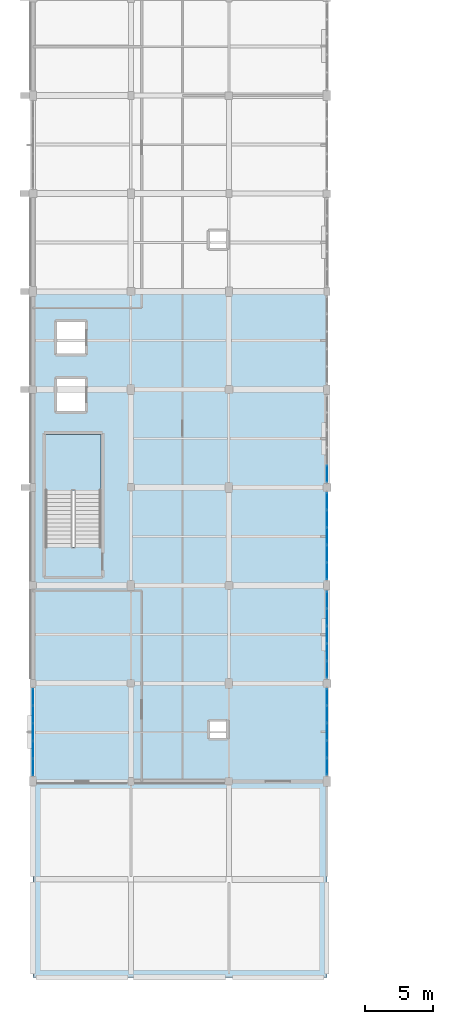
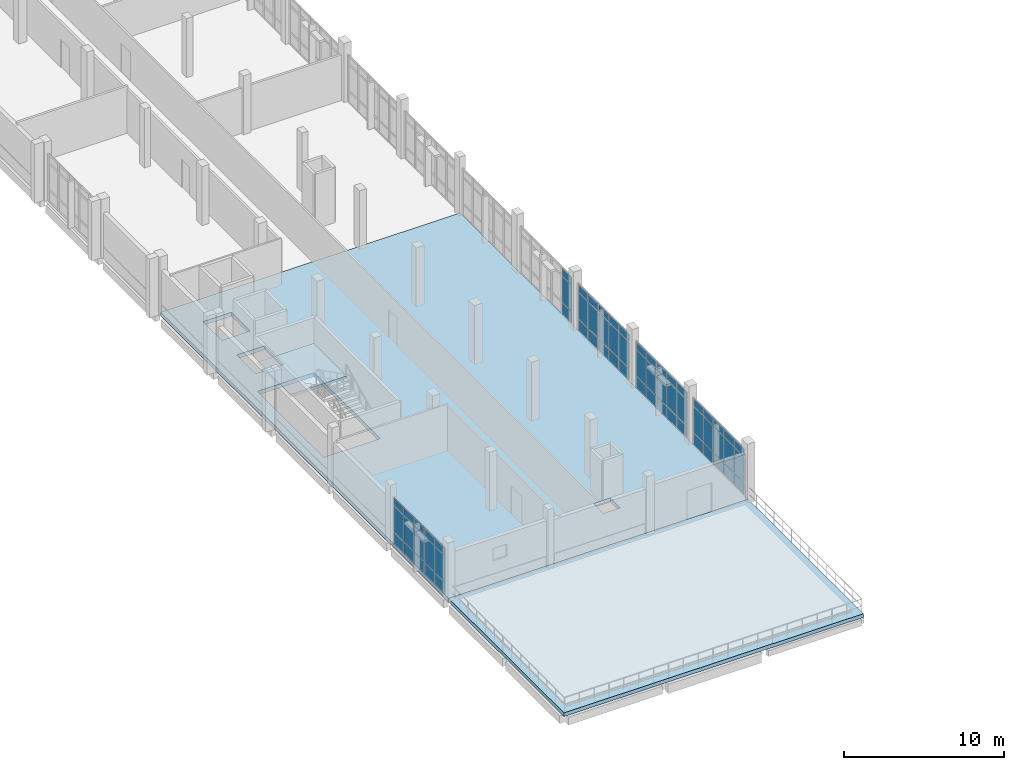
# One storey, part 40 of 57: 63 plates, 3 slabs, 6 elements without a shape of their own.
"""IFC4 building model written with IfcOpenShell, lengths in metres."""

from ifc_helpers import new_model, si_unit, direction, frame, origin, origin_2d, place, context, subcontext, project, spatial, polyline, rectangle, outline, extrude, material, layer, layer_set, type_object, element, aggregate, save


model = new_model("IFC4")

# Units and contexts
model_context = context("Model", 3, precision=1e-05, world=origin(), true_north=direction((0.0, 1.0)))
body_context = subcontext(model_context, "Body", "Model", "MODEL_VIEW")
ifc_project = project(units=[si_unit("LENGTHUNIT", "METRE"), si_unit("AREAUNIT", "SQUARE_METRE"), si_unit("VOLUMEUNIT", "CUBIC_METRE"), si_unit("PLANEANGLEUNIT", "RADIAN"), si_unit("MASSUNIT", "GRAM", prefix="KILO")], contexts=[model_context])

# Site, building, storey
site_placement = place(None, origin())
site = spatial("IfcSite", under=ifc_project, at=site_placement, CompositionType="ELEMENT")
building_placement = place(site_placement, origin())
building = spatial("IfcBuilding", under=site, at=building_placement, Name="Kalluvel Institute of Natural Sciences", CompositionType="ELEMENT")
storey_placement = place(building_placement, frame((0.0, 0.0, 23.39990234375)))
storey = spatial("IfcBuildingStorey", under=building, at=storey_placement, Name="L05", CompositionType="ELEMENT", Elevation=23.39990234375)

# Curtain wall, plates
ifc_material_1 = material(Name="Aluminium AW-6063 T6", Category="aluminium")
curtain_wall_type = type_object("IfcCurtainWallType", Name="CW-DRY-45", PredefinedType="USERDEFINED", material=ifc_material_1)
curtain_wall_1_placement = place(storey_placement, origin())
curtain_wall_1 = element("IfcCurtainWall", 1, at=curtain_wall_1_placement, inside=storey, type_object=curtain_wall_type, Name="L05 Gothic lancet curtain wall CWA-L05-X140-Y288", ObjectType="UNITISED LANCET FACADE", PredefinedType="USERDEFINED")
ifc_material_2 = material(Name="Solar-Control Low-E Laminated Glass", Category="glass")
ifc_layer_1 = layer(ifc_material_2, 0.031982421875)
ifc_layer_set_1 = layer_set([ifc_layer_1], Name="Solar-Control Low-E Laminated Glass")
plate_type = type_object("IfcPlateType", Name="CWP-DGU-32", PredefinedType="CURTAIN_PANEL", material=ifc_layer_set_1)
plate_1_placement = place(storey_placement, frame((14.0, 29.461181640625, 0.065185546875), z_axis=(0.0, 0.0, 1.0), x_axis=(0.0, 1.0, 0.0)))
plate_1 = element("IfcPlate", 2, at=plate_1_placement, type_object=plate_type, Name="CW-03 panel 1.1", PredefinedType="CURTAIN_PANEL", context=body_context, shape_type="SweptSolid", body=[
    extrude(rectangle(XDim=1.1923828125, YDim=0.031982421875, at=origin_2d()), origin(), (0.0, 0.0, 1.0), 0.8525390625),
])
plate_2_placement = place(storey_placement, frame((14.0, 29.461181640625, 0.982666015625), z_axis=(0.0, 0.0, 1.0), x_axis=(0.0, 1.0, 0.0)))
plate_2 = element("IfcPlate", 3, at=plate_2_placement, type_object=plate_type, Name="CW-03 panel 1.2", PredefinedType="CURTAIN_PANEL", context=body_context, shape_type="SweptSolid", body=[
    extrude(rectangle(XDim=1.1923828125, YDim=0.031982421875, at=origin_2d()), origin(), (0.0, 0.0, 1.0), 1.955078125),
])
plate_3_placement = place(storey_placement, frame((14.0, 29.461181640625, 3.00244140625), z_axis=(0.0, 0.0, 1.0), x_axis=(0.0, 1.0, 0.0)))
plate_3 = element("IfcPlate", 4, at=plate_3_placement, type_object=plate_type, Name="CW-03 panel 1.3", PredefinedType="CURTAIN_PANEL", context=body_context, shape_type="SweptSolid", body=[
    extrude(rectangle(XDim=1.1923828125, YDim=0.031982421875, at=origin_2d()), origin(), (0.0, 0.0, 1.0), 0.552490234375),
])
plate_4_placement = place(storey_placement, frame((14.0, 30.735107421875, 0.065185546875), z_axis=(0.0, 0.0, 1.0), x_axis=(0.0, 1.0, 0.0)))
plate_4 = element("IfcPlate", 5, at=plate_4_placement, type_object=plate_type, Name="CW-03 panel 2.1", PredefinedType="CURTAIN_PANEL", context=body_context, shape_type="SweptSolid", body=[
    extrude(rectangle(XDim=1.22509765625, YDim=0.031982421875, at=origin_2d()), origin(), (0.0, 0.0, 1.0), 0.8525390625),
])
plate_5_placement = place(storey_placement, frame((14.0, 30.735107421875, 0.982666015625), z_axis=(0.0, 0.0, 1.0), x_axis=(0.0, 1.0, 0.0)))
plate_5 = element("IfcPlate", 6, at=plate_5_placement, type_object=plate_type, Name="CW-03 panel 2.2", PredefinedType="CURTAIN_PANEL", context=body_context, shape_type="SweptSolid", body=[
    extrude(rectangle(XDim=1.22509765625, YDim=0.031982421875, at=origin_2d()), origin(), (0.0, 0.0, 1.0), 1.955078125),
])
plate_6_placement = place(storey_placement, frame((14.0, 30.735107421875, 3.00244140625), z_axis=(0.0, 0.0, 1.0), x_axis=(0.0, 1.0, 0.0)))
plate_6 = element("IfcPlate", 7, at=plate_6_placement, type_object=plate_type, Name="CW-03 panel 2.3", PredefinedType="CURTAIN_PANEL", context=body_context, shape_type="SweptSolid", body=[
    extrude(rectangle(XDim=1.22509765625, YDim=0.031982421875, at=origin_2d()), origin(), (0.0, 0.0, 1.0), 0.552490234375),
])
plate_7_placement = place(storey_placement, frame((14.0, 32.02490234375, 0.065185546875), z_axis=(0.0, 0.0, 1.0), x_axis=(0.0, 1.0, 0.0)))
plate_7 = element("IfcPlate", 8, at=plate_7_placement, type_object=plate_type, Name="CW-03 panel 3.1", PredefinedType="CURTAIN_PANEL", context=body_context, shape_type="SweptSolid", body=[
    extrude(rectangle(XDim=1.22509765625, YDim=0.031982421875, at=origin_2d()), origin(), (0.0, 0.0, 1.0), 0.8525390625),
])
plate_8_placement = place(storey_placement, frame((14.0, 32.02490234375, 0.982666015625), z_axis=(0.0, 0.0, 1.0), x_axis=(0.0, 1.0, 0.0)))
plate_8 = element("IfcPlate", 9, at=plate_8_placement, type_object=plate_type, Name="CW-03 panel 3.2", PredefinedType="CURTAIN_PANEL", context=body_context, shape_type="SweptSolid", body=[
    extrude(rectangle(XDim=1.22509765625, YDim=0.031982421875, at=origin_2d()), origin(), (0.0, 0.0, 1.0), 1.955078125),
])
plate_9_placement = place(storey_placement, frame((14.0, 32.02490234375, 3.00244140625), z_axis=(0.0, 0.0, 1.0), x_axis=(0.0, 1.0, 0.0)))
plate_9 = element("IfcPlate", 10, at=plate_9_placement, type_object=plate_type, Name="CW-03 panel 3.3", PredefinedType="CURTAIN_PANEL", context=body_context, shape_type="SweptSolid", body=[
    extrude(rectangle(XDim=1.22509765625, YDim=0.031982421875, at=origin_2d()), origin(), (0.0, 0.0, 1.0), 0.552490234375),
])
plate_10_placement = place(storey_placement, frame((14.0, 33.31494140625, 0.065185546875), z_axis=(0.0, 0.0, 1.0), x_axis=(0.0, 1.0, 0.0)))
plate_10 = element("IfcPlate", 11, at=plate_10_placement, type_object=plate_type, Name="CW-03 panel 4.1", PredefinedType="CURTAIN_PANEL", context=body_context, shape_type="SweptSolid", body=[
    extrude(rectangle(XDim=1.22509765625, YDim=0.031982421875, at=origin_2d()), origin(), (0.0, 0.0, 1.0), 0.8525390625),
])
plate_11_placement = place(storey_placement, frame((14.0, 33.31494140625, 0.982666015625), z_axis=(0.0, 0.0, 1.0), x_axis=(0.0, 1.0, 0.0)))
plate_11 = element("IfcPlate", 12, at=plate_11_placement, type_object=plate_type, Name="CW-03 panel 4.2", PredefinedType="CURTAIN_PANEL", context=body_context, shape_type="SweptSolid", body=[
    extrude(rectangle(XDim=1.22509765625, YDim=0.031982421875, at=origin_2d()), origin(), (0.0, 0.0, 1.0), 1.955078125),
])
plate_12_placement = place(storey_placement, frame((14.0, 33.31494140625, 3.00244140625), z_axis=(0.0, 0.0, 1.0), x_axis=(0.0, 1.0, 0.0)))
plate_12 = element("IfcPlate", 13, at=plate_12_placement, type_object=plate_type, Name="CW-03 panel 4.3", PredefinedType="CURTAIN_PANEL", context=body_context, shape_type="SweptSolid", body=[
    extrude(rectangle(XDim=1.22509765625, YDim=0.031982421875, at=origin_2d()), origin(), (0.0, 0.0, 1.0), 0.552490234375),
])
plate_13_placement = place(storey_placement, frame((14.0, 34.5888671875, 0.065185546875), z_axis=(0.0, 0.0, 1.0), x_axis=(0.0, 1.0, 0.0)))
plate_13 = element("IfcPlate", 14, at=plate_13_placement, type_object=plate_type, Name="CW-03 panel 5.1", PredefinedType="CURTAIN_PANEL", context=body_context, shape_type="SweptSolid", body=[
    extrude(rectangle(XDim=1.1923828125, YDim=0.031982421875, at=origin_2d()), origin(), (0.0, 0.0, 1.0), 0.8525390625),
])
plate_14_placement = place(storey_placement, frame((14.0, 34.5888671875, 0.982666015625), z_axis=(0.0, 0.0, 1.0), x_axis=(0.0, 1.0, 0.0)))
plate_14 = element("IfcPlate", 15, at=plate_14_placement, type_object=plate_type, Name="CW-03 panel 5.2", PredefinedType="CURTAIN_PANEL", context=body_context, shape_type="SweptSolid", body=[
    extrude(rectangle(XDim=1.1923828125, YDim=0.031982421875, at=origin_2d()), origin(), (0.0, 0.0, 1.0), 1.955078125),
])
plate_15_placement = place(storey_placement, frame((14.0, 34.5888671875, 3.00244140625), z_axis=(0.0, 0.0, 1.0), x_axis=(0.0, 1.0, 0.0)))
plate_15 = element("IfcPlate", 16, at=plate_15_placement, type_object=plate_type, Name="CW-03 panel 5.3", PredefinedType="CURTAIN_PANEL", context=body_context, shape_type="SweptSolid", body=[
    extrude(rectangle(XDim=1.1923828125, YDim=0.031982421875, at=origin_2d()), origin(), (0.0, 0.0, 1.0), 0.552490234375),
])
aggregate(curtain_wall_1, [plate_1, plate_2, plate_3, plate_4, plate_5, plate_6, plate_7, plate_8, plate_9, plate_10, plate_11, plate_12, plate_13, plate_14, plate_15])

curtain_wall_2_placement = place(storey_placement, origin())
curtain_wall_2 = element("IfcCurtainWall", 17, at=curtain_wall_2_placement, inside=storey, type_object=curtain_wall_type, Name="L05 Gothic lancet curtain wall CWA-L05-X356-Y288", ObjectType="UNITISED LANCET FACADE", PredefinedType="USERDEFINED")
plate_16_placement = place(storey_placement, frame((35.60009765625, 29.483642578125, 0.065185546875), z_axis=(0.0, 0.0, 1.0), x_axis=(0.0, 1.0, 0.0)))
plate_16 = element("IfcPlate", 18, at=plate_16_placement, type_object=plate_type, Name="CW-03 panel 1.1", PredefinedType="CURTAIN_PANEL", context=body_context, shape_type="SweptSolid", body=[
    extrude(rectangle(XDim=1.1875, YDim=0.031982421875, at=origin_2d()), origin(), (0.0, 0.0, 1.0), 0.8525390625),
])
plate_17_placement = place(storey_placement, frame((35.60009765625, 29.483642578125, 0.982666015625), z_axis=(0.0, 0.0, 1.0), x_axis=(0.0, 1.0, 0.0)))
plate_17 = element("IfcPlate", 19, at=plate_17_placement, type_object=plate_type, Name="CW-03 panel 1.2", PredefinedType="CURTAIN_PANEL", context=body_context, shape_type="SweptSolid", body=[
    extrude(rectangle(XDim=1.1875, YDim=0.031982421875, at=origin_2d()), origin(), (0.0, 0.0, 1.0), 1.955078125),
])
plate_18_placement = place(storey_placement, frame((35.60009765625, 29.483642578125, 3.00244140625), z_axis=(0.0, 0.0, 1.0), x_axis=(0.0, 1.0, 0.0)))
plate_18 = element("IfcPlate", 20, at=plate_18_placement, type_object=plate_type, Name="CW-03 panel 1.3", PredefinedType="CURTAIN_PANEL", context=body_context, shape_type="SweptSolid", body=[
    extrude(rectangle(XDim=1.1875, YDim=0.031982421875, at=origin_2d()), origin(), (0.0, 0.0, 1.0), 0.552490234375),
])
plate_19_placement = place(storey_placement, frame((35.60009765625, 30.75244140625, 0.065185546875), z_axis=(0.0, 0.0, 1.0), x_axis=(0.0, 1.0, 0.0)))
plate_19 = element("IfcPlate", 21, at=plate_19_placement, type_object=plate_type, Name="CW-03 panel 2.1", PredefinedType="CURTAIN_PANEL", context=body_context, shape_type="SweptSolid", body=[
    extrude(rectangle(XDim=1.219970703125, YDim=0.031982421875, at=origin_2d()), origin(), (0.0, 0.0, 1.0), 0.8525390625),
])
plate_20_placement = place(storey_placement, frame((35.60009765625, 30.75244140625, 0.982666015625), z_axis=(0.0, 0.0, 1.0), x_axis=(0.0, 1.0, 0.0)))
plate_20 = element("IfcPlate", 22, at=plate_20_placement, type_object=plate_type, Name="CW-03 panel 2.2", PredefinedType="CURTAIN_PANEL", context=body_context, shape_type="SweptSolid", body=[
    extrude(rectangle(XDim=1.219970703125, YDim=0.031982421875, at=origin_2d()), origin(), (0.0, 0.0, 1.0), 1.955078125),
])
plate_21_placement = place(storey_placement, frame((35.60009765625, 30.75244140625, 3.00244140625), z_axis=(0.0, 0.0, 1.0), x_axis=(0.0, 1.0, 0.0)))
plate_21 = element("IfcPlate", 23, at=plate_21_placement, type_object=plate_type, Name="CW-03 panel 2.3", PredefinedType="CURTAIN_PANEL", context=body_context, shape_type="SweptSolid", body=[
    extrude(rectangle(XDim=1.219970703125, YDim=0.031982421875, at=origin_2d()), origin(), (0.0, 0.0, 1.0), 0.552490234375),
])
plate_22_placement = place(storey_placement, frame((35.60009765625, 32.03759765625, 0.065185546875), z_axis=(0.0, 0.0, 1.0), x_axis=(0.0, 1.0, 0.0)))
plate_22 = element("IfcPlate", 24, at=plate_22_placement, type_object=plate_type, Name="CW-03 panel 3.1", PredefinedType="CURTAIN_PANEL", context=body_context, shape_type="SweptSolid", body=[
    extrude(rectangle(XDim=1.219970703125, YDim=0.031982421875, at=origin_2d()), origin(), (0.0, 0.0, 1.0), 0.8525390625),
])
plate_23_placement = place(storey_placement, frame((35.60009765625, 32.03759765625, 0.982666015625), z_axis=(0.0, 0.0, 1.0), x_axis=(0.0, 1.0, 0.0)))
plate_23 = element("IfcPlate", 25, at=plate_23_placement, type_object=plate_type, Name="CW-03 panel 3.2", PredefinedType="CURTAIN_PANEL", context=body_context, shape_type="SweptSolid", body=[
    extrude(rectangle(XDim=1.219970703125, YDim=0.031982421875, at=origin_2d()), origin(), (0.0, 0.0, 1.0), 1.955078125),
])
plate_24_placement = place(storey_placement, frame((35.60009765625, 32.03759765625, 3.00244140625), z_axis=(0.0, 0.0, 1.0), x_axis=(0.0, 1.0, 0.0)))
plate_24 = element("IfcPlate", 26, at=plate_24_placement, type_object=plate_type, Name="CW-03 panel 3.3", PredefinedType="CURTAIN_PANEL", context=body_context, shape_type="SweptSolid", body=[
    extrude(rectangle(XDim=1.219970703125, YDim=0.031982421875, at=origin_2d()), origin(), (0.0, 0.0, 1.0), 0.552490234375),
])
plate_25_placement = place(storey_placement, frame((35.60009765625, 33.322509765625, 0.065185546875), z_axis=(0.0, 0.0, 1.0), x_axis=(0.0, 1.0, 0.0)))
plate_25 = element("IfcPlate", 27, at=plate_25_placement, type_object=plate_type, Name="CW-03 panel 4.1", PredefinedType="CURTAIN_PANEL", context=body_context, shape_type="SweptSolid", body=[
    extrude(rectangle(XDim=1.219970703125, YDim=0.031982421875, at=origin_2d()), origin(), (0.0, 0.0, 1.0), 0.8525390625),
])
plate_26_placement = place(storey_placement, frame((35.60009765625, 33.322509765625, 0.982666015625), z_axis=(0.0, 0.0, 1.0), x_axis=(0.0, 1.0, 0.0)))
plate_26 = element("IfcPlate", 28, at=plate_26_placement, type_object=plate_type, Name="CW-03 panel 4.2", PredefinedType="CURTAIN_PANEL", context=body_context, shape_type="SweptSolid", body=[
    extrude(rectangle(XDim=1.219970703125, YDim=0.031982421875, at=origin_2d()), origin(), (0.0, 0.0, 1.0), 1.955078125),
])
plate_27_placement = place(storey_placement, frame((35.60009765625, 33.322509765625, 3.00244140625), z_axis=(0.0, 0.0, 1.0), x_axis=(0.0, 1.0, 0.0)))
plate_27 = element("IfcPlate", 29, at=plate_27_placement, type_object=plate_type, Name="CW-03 panel 4.3", PredefinedType="CURTAIN_PANEL", context=body_context, shape_type="SweptSolid", body=[
    extrude(rectangle(XDim=1.219970703125, YDim=0.031982421875, at=origin_2d()), origin(), (0.0, 0.0, 1.0), 0.552490234375),
])
plate_28_placement = place(storey_placement, frame((35.60009765625, 34.59130859375, 0.065185546875), z_axis=(0.0, 0.0, 1.0), x_axis=(0.0, 1.0, 0.0)))
plate_28 = element("IfcPlate", 30, at=plate_28_placement, type_object=plate_type, Name="CW-03 panel 5.1", PredefinedType="CURTAIN_PANEL", context=body_context, shape_type="SweptSolid", body=[
    extrude(rectangle(XDim=1.1875, YDim=0.031982421875, at=origin_2d()), origin(), (0.0, 0.0, 1.0), 0.8525390625),
])
plate_29_placement = place(storey_placement, frame((35.60009765625, 34.59130859375, 0.982666015625), z_axis=(0.0, 0.0, 1.0), x_axis=(0.0, 1.0, 0.0)))
plate_29 = element("IfcPlate", 31, at=plate_29_placement, type_object=plate_type, Name="CW-03 panel 5.2", PredefinedType="CURTAIN_PANEL", context=body_context, shape_type="SweptSolid", body=[
    extrude(rectangle(XDim=1.1875, YDim=0.031982421875, at=origin_2d()), origin(), (0.0, 0.0, 1.0), 1.955078125),
])
plate_30_placement = place(storey_placement, frame((35.60009765625, 34.59130859375, 3.00244140625), z_axis=(0.0, 0.0, 1.0), x_axis=(0.0, 1.0, 0.0)))
plate_30 = element("IfcPlate", 32, at=plate_30_placement, type_object=plate_type, Name="CW-03 panel 5.3", PredefinedType="CURTAIN_PANEL", context=body_context, shape_type="SweptSolid", body=[
    extrude(rectangle(XDim=1.1875, YDim=0.031982421875, at=origin_2d()), origin(), (0.0, 0.0, 1.0), 0.552490234375),
])
aggregate(curtain_wall_2, [plate_16, plate_17, plate_18, plate_19, plate_20, plate_21, plate_22, plate_23, plate_24, plate_25, plate_26, plate_27, plate_28, plate_29, plate_30])

curtain_wall_3_placement = place(storey_placement, origin())
curtain_wall_3 = element("IfcCurtainWall", 33, at=curtain_wall_3_placement, inside=storey, type_object=curtain_wall_type, Name="L05 Gothic lancet curtain wall CWA-L05-X356-Y360", ObjectType="UNITISED LANCET FACADE", PredefinedType="USERDEFINED")
plate_31_placement = place(storey_placement, frame((35.60009765625, 36.611328125, 0.065185546875), z_axis=(0.0, 0.0, 1.0), x_axis=(0.0, 1.0, 0.0)))
plate_31 = element("IfcPlate", 34, at=plate_31_placement, type_object=plate_type, Name="CW-03 panel 1.1", PredefinedType="CURTAIN_PANEL", context=body_context, shape_type="SweptSolid", body=[
    extrude(rectangle(XDim=1.1923828125, YDim=0.031982421875, at=origin_2d()), origin(), (0.0, 0.0, 1.0), 0.8525390625),
])
plate_32_placement = place(storey_placement, frame((35.60009765625, 36.611328125, 0.982666015625), z_axis=(0.0, 0.0, 1.0), x_axis=(0.0, 1.0, 0.0)))
plate_32 = element("IfcPlate", 35, at=plate_32_placement, type_object=plate_type, Name="CW-03 panel 1.2", PredefinedType="CURTAIN_PANEL", context=body_context, shape_type="SweptSolid", body=[
    extrude(rectangle(XDim=1.1923828125, YDim=0.031982421875, at=origin_2d()), origin(), (0.0, 0.0, 1.0), 1.955078125),
])
plate_33_placement = place(storey_placement, frame((35.60009765625, 36.611328125, 3.00244140625), z_axis=(0.0, 0.0, 1.0), x_axis=(0.0, 1.0, 0.0)))
plate_33 = element("IfcPlate", 36, at=plate_33_placement, type_object=plate_type, Name="CW-03 panel 1.3", PredefinedType="CURTAIN_PANEL", context=body_context, shape_type="SweptSolid", body=[
    extrude(rectangle(XDim=1.1923828125, YDim=0.031982421875, at=origin_2d()), origin(), (0.0, 0.0, 1.0), 0.552490234375),
])
plate_34_placement = place(storey_placement, frame((35.60009765625, 37.885009765625, 0.065185546875), z_axis=(0.0, 0.0, 1.0), x_axis=(0.0, 1.0, 0.0)))
plate_34 = element("IfcPlate", 37, at=plate_34_placement, type_object=plate_type, Name="CW-03 panel 2.1", PredefinedType="CURTAIN_PANEL", context=body_context, shape_type="SweptSolid", body=[
    extrude(rectangle(XDim=1.22509765625, YDim=0.031982421875, at=origin_2d()), origin(), (0.0, 0.0, 1.0), 0.8525390625),
])
plate_35_placement = place(storey_placement, frame((35.60009765625, 37.885009765625, 0.982666015625), z_axis=(0.0, 0.0, 1.0), x_axis=(0.0, 1.0, 0.0)))
plate_35 = element("IfcPlate", 38, at=plate_35_placement, type_object=plate_type, Name="CW-03 panel 2.2", PredefinedType="CURTAIN_PANEL", context=body_context, shape_type="SweptSolid", body=[
    extrude(rectangle(XDim=1.22509765625, YDim=0.031982421875, at=origin_2d()), origin(), (0.0, 0.0, 1.0), 1.955078125),
])
plate_36_placement = place(storey_placement, frame((35.60009765625, 37.885009765625, 3.00244140625), z_axis=(0.0, 0.0, 1.0), x_axis=(0.0, 1.0, 0.0)))
plate_36 = element("IfcPlate", 39, at=plate_36_placement, type_object=plate_type, Name="CW-03 panel 2.3", PredefinedType="CURTAIN_PANEL", context=body_context, shape_type="SweptSolid", body=[
    extrude(rectangle(XDim=1.22509765625, YDim=0.031982421875, at=origin_2d()), origin(), (0.0, 0.0, 1.0), 0.552490234375),
])
plate_37_placement = place(storey_placement, frame((35.60009765625, 39.175048828125, 0.065185546875), z_axis=(0.0, 0.0, 1.0), x_axis=(0.0, 1.0, 0.0)))
plate_37 = element("IfcPlate", 40, at=plate_37_placement, type_object=plate_type, Name="CW-03 panel 3.1", PredefinedType="CURTAIN_PANEL", context=body_context, shape_type="SweptSolid", body=[
    extrude(rectangle(XDim=1.22509765625, YDim=0.031982421875, at=origin_2d()), origin(), (0.0, 0.0, 1.0), 0.8525390625),
])
plate_38_placement = place(storey_placement, frame((35.60009765625, 39.175048828125, 0.982666015625), z_axis=(0.0, 0.0, 1.0), x_axis=(0.0, 1.0, 0.0)))
plate_38 = element("IfcPlate", 41, at=plate_38_placement, type_object=plate_type, Name="CW-03 panel 3.2", PredefinedType="CURTAIN_PANEL", context=body_context, shape_type="SweptSolid", body=[
    extrude(rectangle(XDim=1.22509765625, YDim=0.031982421875, at=origin_2d()), origin(), (0.0, 0.0, 1.0), 1.955078125),
])
plate_39_placement = place(storey_placement, frame((35.60009765625, 39.175048828125, 3.00244140625), z_axis=(0.0, 0.0, 1.0), x_axis=(0.0, 1.0, 0.0)))
plate_39 = element("IfcPlate", 42, at=plate_39_placement, type_object=plate_type, Name="CW-03 panel 3.3", PredefinedType="CURTAIN_PANEL", context=body_context, shape_type="SweptSolid", body=[
    extrude(rectangle(XDim=1.22509765625, YDim=0.031982421875, at=origin_2d()), origin(), (0.0, 0.0, 1.0), 0.552490234375),
])
plate_40_placement = place(storey_placement, frame((35.60009765625, 40.465087890625, 0.065185546875), z_axis=(0.0, 0.0, 1.0), x_axis=(0.0, 1.0, 0.0)))
plate_40 = element("IfcPlate", 43, at=plate_40_placement, type_object=plate_type, Name="CW-03 panel 4.1", PredefinedType="CURTAIN_PANEL", context=body_context, shape_type="SweptSolid", body=[
    extrude(rectangle(XDim=1.22509765625, YDim=0.031982421875, at=origin_2d()), origin(), (0.0, 0.0, 1.0), 0.8525390625),
])
plate_41_placement = place(storey_placement, frame((35.60009765625, 40.465087890625, 0.982666015625), z_axis=(0.0, 0.0, 1.0), x_axis=(0.0, 1.0, 0.0)))
plate_41 = element("IfcPlate", 44, at=plate_41_placement, type_object=plate_type, Name="CW-03 panel 4.2", PredefinedType="CURTAIN_PANEL", context=body_context, shape_type="SweptSolid", body=[
    extrude(rectangle(XDim=1.22509765625, YDim=0.031982421875, at=origin_2d()), origin(), (0.0, 0.0, 1.0), 1.955078125),
])
plate_42_placement = place(storey_placement, frame((35.60009765625, 40.465087890625, 3.00244140625), z_axis=(0.0, 0.0, 1.0), x_axis=(0.0, 1.0, 0.0)))
plate_42 = element("IfcPlate", 45, at=plate_42_placement, type_object=plate_type, Name="CW-03 panel 4.3", PredefinedType="CURTAIN_PANEL", context=body_context, shape_type="SweptSolid", body=[
    extrude(rectangle(XDim=1.22509765625, YDim=0.031982421875, at=origin_2d()), origin(), (0.0, 0.0, 1.0), 0.552490234375),
])
plate_43_placement = place(storey_placement, frame((35.60009765625, 41.73876953125, 0.065185546875), z_axis=(0.0, 0.0, 1.0), x_axis=(0.0, 1.0, 0.0)))
plate_43 = element("IfcPlate", 46, at=plate_43_placement, type_object=plate_type, Name="CW-03 panel 5.1", PredefinedType="CURTAIN_PANEL", context=body_context, shape_type="SweptSolid", body=[
    extrude(rectangle(XDim=1.1923828125, YDim=0.031982421875, at=origin_2d()), origin(), (0.0, 0.0, 1.0), 0.8525390625),
])
plate_44_placement = place(storey_placement, frame((35.60009765625, 41.73876953125, 0.982666015625), z_axis=(0.0, 0.0, 1.0), x_axis=(0.0, 1.0, 0.0)))
plate_44 = element("IfcPlate", 47, at=plate_44_placement, type_object=plate_type, Name="CW-03 panel 5.2", PredefinedType="CURTAIN_PANEL", context=body_context, shape_type="SweptSolid", body=[
    extrude(rectangle(XDim=1.1923828125, YDim=0.031982421875, at=origin_2d()), origin(), (0.0, 0.0, 1.0), 1.955078125),
])
plate_45_placement = place(storey_placement, frame((35.60009765625, 41.73876953125, 3.00244140625), z_axis=(0.0, 0.0, 1.0), x_axis=(0.0, 1.0, 0.0)))
plate_45 = element("IfcPlate", 48, at=plate_45_placement, type_object=plate_type, Name="CW-03 panel 5.3", PredefinedType="CURTAIN_PANEL", context=body_context, shape_type="SweptSolid", body=[
    extrude(rectangle(XDim=1.1923828125, YDim=0.031982421875, at=origin_2d()), origin(), (0.0, 0.0, 1.0), 0.552490234375),
])
aggregate(curtain_wall_3, [plate_31, plate_32, plate_33, plate_34, plate_35, plate_36, plate_37, plate_38, plate_39, plate_40, plate_41, plate_42, plate_43, plate_44, plate_45])

curtain_wall_4_placement = place(storey_placement, origin())
curtain_wall_4 = element("IfcCurtainWall", 49, at=curtain_wall_4_placement, inside=storey, type_object=curtain_wall_type, Name="L05 Gothic lancet curtain wall CWA-L05-X356-Y432", ObjectType="UNITISED LANCET FACADE", PredefinedType="USERDEFINED")
plate_46_placement = place(storey_placement, frame((35.60009765625, 43.861328125, 0.065185546875), z_axis=(0.0, 0.0, 1.0), x_axis=(0.0, 1.0, 0.0)))
plate_46 = element("IfcPlate", 50, at=plate_46_placement, type_object=plate_type, Name="CW-03 panel 1.1", PredefinedType="CURTAIN_PANEL", context=body_context, shape_type="SweptSolid", body=[
    extrude(rectangle(XDim=1.1923828125, YDim=0.031982421875, at=origin_2d()), origin(), (0.0, 0.0, 1.0), 0.8525390625),
])
plate_47_placement = place(storey_placement, frame((35.60009765625, 43.861328125, 0.982666015625), z_axis=(0.0, 0.0, 1.0), x_axis=(0.0, 1.0, 0.0)))
plate_47 = element("IfcPlate", 51, at=plate_47_placement, type_object=plate_type, Name="CW-03 panel 1.2", PredefinedType="CURTAIN_PANEL", context=body_context, shape_type="SweptSolid", body=[
    extrude(rectangle(XDim=1.1923828125, YDim=0.031982421875, at=origin_2d()), origin(), (0.0, 0.0, 1.0), 1.955078125),
])
plate_48_placement = place(storey_placement, frame((35.60009765625, 43.861328125, 3.00244140625), z_axis=(0.0, 0.0, 1.0), x_axis=(0.0, 1.0, 0.0)))
plate_48 = element("IfcPlate", 52, at=plate_48_placement, type_object=plate_type, Name="CW-03 panel 1.3", PredefinedType="CURTAIN_PANEL", context=body_context, shape_type="SweptSolid", body=[
    extrude(rectangle(XDim=1.1923828125, YDim=0.031982421875, at=origin_2d()), origin(), (0.0, 0.0, 1.0), 0.552490234375),
])
plate_49_placement = place(storey_placement, frame((35.60009765625, 45.135009765625, 0.065185546875), z_axis=(0.0, 0.0, 1.0), x_axis=(0.0, 1.0, 0.0)))
plate_49 = element("IfcPlate", 53, at=plate_49_placement, type_object=plate_type, Name="CW-03 panel 2.1", PredefinedType="CURTAIN_PANEL", context=body_context, shape_type="SweptSolid", body=[
    extrude(rectangle(XDim=1.22509765625, YDim=0.031982421875, at=origin_2d()), origin(), (0.0, 0.0, 1.0), 0.8525390625),
])
plate_50_placement = place(storey_placement, frame((35.60009765625, 45.135009765625, 0.982666015625), z_axis=(0.0, 0.0, 1.0), x_axis=(0.0, 1.0, 0.0)))
plate_50 = element("IfcPlate", 54, at=plate_50_placement, type_object=plate_type, Name="CW-03 panel 2.2", PredefinedType="CURTAIN_PANEL", context=body_context, shape_type="SweptSolid", body=[
    extrude(rectangle(XDim=1.22509765625, YDim=0.031982421875, at=origin_2d()), origin(), (0.0, 0.0, 1.0), 1.955078125),
])
plate_51_placement = place(storey_placement, frame((35.60009765625, 45.135009765625, 3.00244140625), z_axis=(0.0, 0.0, 1.0), x_axis=(0.0, 1.0, 0.0)))
plate_51 = element("IfcPlate", 55, at=plate_51_placement, type_object=plate_type, Name="CW-03 panel 2.3", PredefinedType="CURTAIN_PANEL", context=body_context, shape_type="SweptSolid", body=[
    extrude(rectangle(XDim=1.22509765625, YDim=0.031982421875, at=origin_2d()), origin(), (0.0, 0.0, 1.0), 0.552490234375),
])
plate_52_placement = place(storey_placement, frame((35.60009765625, 46.425048828125, 0.065185546875), z_axis=(0.0, 0.0, 1.0), x_axis=(0.0, 1.0, 0.0)))
plate_52 = element("IfcPlate", 56, at=plate_52_placement, type_object=plate_type, Name="CW-03 panel 3.1", PredefinedType="CURTAIN_PANEL", context=body_context, shape_type="SweptSolid", body=[
    extrude(rectangle(XDim=1.22509765625, YDim=0.031982421875, at=origin_2d()), origin(), (0.0, 0.0, 1.0), 0.8525390625),
])
plate_53_placement = place(storey_placement, frame((35.60009765625, 46.425048828125, 0.982666015625), z_axis=(0.0, 0.0, 1.0), x_axis=(0.0, 1.0, 0.0)))
plate_53 = element("IfcPlate", 57, at=plate_53_placement, type_object=plate_type, Name="CW-03 panel 3.2", PredefinedType="CURTAIN_PANEL", context=body_context, shape_type="SweptSolid", body=[
    extrude(rectangle(XDim=1.22509765625, YDim=0.031982421875, at=origin_2d()), origin(), (0.0, 0.0, 1.0), 1.955078125),
])
plate_54_placement = place(storey_placement, frame((35.60009765625, 46.425048828125, 3.00244140625), z_axis=(0.0, 0.0, 1.0), x_axis=(0.0, 1.0, 0.0)))
plate_54 = element("IfcPlate", 58, at=plate_54_placement, type_object=plate_type, Name="CW-03 panel 3.3", PredefinedType="CURTAIN_PANEL", context=body_context, shape_type="SweptSolid", body=[
    extrude(rectangle(XDim=1.22509765625, YDim=0.031982421875, at=origin_2d()), origin(), (0.0, 0.0, 1.0), 0.552490234375),
])
plate_55_placement = place(storey_placement, frame((35.60009765625, 47.715087890625, 0.065185546875), z_axis=(0.0, 0.0, 1.0), x_axis=(0.0, 1.0, 0.0)))
plate_55 = element("IfcPlate", 59, at=plate_55_placement, type_object=plate_type, Name="CW-03 panel 4.1", PredefinedType="CURTAIN_PANEL", context=body_context, shape_type="SweptSolid", body=[
    extrude(rectangle(XDim=1.22509765625, YDim=0.031982421875, at=origin_2d()), origin(), (0.0, 0.0, 1.0), 0.8525390625),
])
plate_56_placement = place(storey_placement, frame((35.60009765625, 47.715087890625, 0.982666015625), z_axis=(0.0, 0.0, 1.0), x_axis=(0.0, 1.0, 0.0)))
plate_56 = element("IfcPlate", 60, at=plate_56_placement, type_object=plate_type, Name="CW-03 panel 4.2", PredefinedType="CURTAIN_PANEL", context=body_context, shape_type="SweptSolid", body=[
    extrude(rectangle(XDim=1.22509765625, YDim=0.031982421875, at=origin_2d()), origin(), (0.0, 0.0, 1.0), 1.955078125),
])
plate_57_placement = place(storey_placement, frame((35.60009765625, 47.715087890625, 3.00244140625), z_axis=(0.0, 0.0, 1.0), x_axis=(0.0, 1.0, 0.0)))
plate_57 = element("IfcPlate", 61, at=plate_57_placement, type_object=plate_type, Name="CW-03 panel 4.3", PredefinedType="CURTAIN_PANEL", context=body_context, shape_type="SweptSolid", body=[
    extrude(rectangle(XDim=1.22509765625, YDim=0.031982421875, at=origin_2d()), origin(), (0.0, 0.0, 1.0), 0.552490234375),
])
plate_58_placement = place(storey_placement, frame((35.60009765625, 48.98876953125, 0.065185546875), z_axis=(0.0, 0.0, 1.0), x_axis=(0.0, 1.0, 0.0)))
plate_58 = element("IfcPlate", 62, at=plate_58_placement, type_object=plate_type, Name="CW-03 panel 5.1", PredefinedType="CURTAIN_PANEL", context=body_context, shape_type="SweptSolid", body=[
    extrude(rectangle(XDim=1.1923828125, YDim=0.031982421875, at=origin_2d()), origin(), (0.0, 0.0, 1.0), 0.8525390625),
])
plate_59_placement = place(storey_placement, frame((35.60009765625, 48.98876953125, 0.982666015625), z_axis=(0.0, 0.0, 1.0), x_axis=(0.0, 1.0, 0.0)))
plate_59 = element("IfcPlate", 63, at=plate_59_placement, type_object=plate_type, Name="CW-03 panel 5.2", PredefinedType="CURTAIN_PANEL", context=body_context, shape_type="SweptSolid", body=[
    extrude(rectangle(XDim=1.1923828125, YDim=0.031982421875, at=origin_2d()), origin(), (0.0, 0.0, 1.0), 1.955078125),
])
plate_60_placement = place(storey_placement, frame((35.60009765625, 48.98876953125, 3.00244140625), z_axis=(0.0, 0.0, 1.0), x_axis=(0.0, 1.0, 0.0)))
plate_60 = element("IfcPlate", 64, at=plate_60_placement, type_object=plate_type, Name="CW-03 panel 5.3", PredefinedType="CURTAIN_PANEL", context=body_context, shape_type="SweptSolid", body=[
    extrude(rectangle(XDim=1.1923828125, YDim=0.031982421875, at=origin_2d()), origin(), (0.0, 0.0, 1.0), 0.552490234375),
])
aggregate(curtain_wall_4, [plate_46, plate_47, plate_48, plate_49, plate_50, plate_51, plate_52, plate_53, plate_54, plate_55, plate_56, plate_57, plate_58, plate_59, plate_60])

curtain_wall_5_placement = place(storey_placement, origin())
curtain_wall_5 = element("IfcCurtainWall", 65, at=curtain_wall_5_placement, inside=storey, type_object=curtain_wall_type, Name="L05 Gothic lancet curtain wall CWA-L05-X356-Y504", ObjectType="UNITISED LANCET FACADE", PredefinedType="USERDEFINED")
plate_61_placement = place(storey_placement, frame((35.60009765625, 51.01123046875, 0.065185546875), z_axis=(0.0, 0.0, 1.0), x_axis=(0.0, 1.0, 0.0)))
plate_61 = element("IfcPlate", 66, at=plate_61_placement, type_object=plate_type, Name="CW-03 panel 1.1", PredefinedType="CURTAIN_PANEL", context=body_context, shape_type="SweptSolid", body=[
    extrude(rectangle(XDim=1.1923828125, YDim=0.031982421875, at=origin_2d()), origin(), (0.0, 0.0, 1.0), 0.8525390625),
])
plate_62_placement = place(storey_placement, frame((35.60009765625, 51.01123046875, 0.982666015625), z_axis=(0.0, 0.0, 1.0), x_axis=(0.0, 1.0, 0.0)))
plate_62 = element("IfcPlate", 67, at=plate_62_placement, type_object=plate_type, Name="CW-03 panel 1.2", PredefinedType="CURTAIN_PANEL", context=body_context, shape_type="SweptSolid", body=[
    extrude(rectangle(XDim=1.1923828125, YDim=0.031982421875, at=origin_2d()), origin(), (0.0, 0.0, 1.0), 1.955078125),
])
plate_63_placement = place(storey_placement, frame((35.60009765625, 51.01123046875, 3.00244140625), z_axis=(0.0, 0.0, 1.0), x_axis=(0.0, 1.0, 0.0)))
plate_63 = element("IfcPlate", 68, at=plate_63_placement, type_object=plate_type, Name="CW-03 panel 1.3", PredefinedType="CURTAIN_PANEL", context=body_context, shape_type="SweptSolid", body=[
    extrude(rectangle(XDim=1.1923828125, YDim=0.031982421875, at=origin_2d()), origin(), (0.0, 0.0, 1.0), 0.552490234375),
])
aggregate(curtain_wall_5, [plate_61, plate_62, plate_63])

# Slabs
ifc_material_3 = material(Name="Concrete M40", Category="concrete")
ifc_layer_2 = layer(ifc_material_3, 0.300048828125)
ifc_layer_set_2 = layer_set([ifc_layer_2], Name="Concrete M40")
slab_type_1 = type_object("IfcSlabType", Name="SLB-DRY-300", PredefinedType="FLOOR", material=ifc_layer_set_2)
slab_1_placement = place(storey_placement, frame((0.0, 0.0, -0.2998046875)))
element("IfcSlab", 69, at=slab_1_placement, inside=storey, type_object=slab_type_1, Name="L05 Dry Laboratory Floor Slab S", PredefinedType="FLOOR", context=body_context, shape_type="SweptSolid", body=[
    extrude(outline(polyline([(14.0, 28.39990234375), (35.60009765625, 28.39990234375), (35.60009765625, 64.39990234375), (14.0, 64.39990234375), (14.0, 28.39990234375)]), holes=[polyline([(28.199951171875, 32.800048828125), (28.199951171875, 31.60009765625), (27.0, 31.60009765625), (27.0, 32.800048828125), (28.199951171875, 32.800048828125)]), polyline([(14.929931640625, 53.89990234375), (19.0, 53.89990234375), (19.0, 45.617919921875), (14.929931640625, 45.617919921875), (14.929931640625, 53.89990234375)]), polyline([(17.820068359375, 57.969970703125), (17.820068359375, 55.6298828125), (15.780029296875, 55.6298828125), (15.780029296875, 57.969970703125), (17.820068359375, 57.969970703125)]), polyline([(17.820068359375, 62.169921875), (17.820068359375, 59.830078125), (15.780029296875, 59.830078125), (15.780029296875, 62.169921875), (17.820068359375, 62.169921875)])]), origin(), (0.0, 0.0, 1.0), 0.2998046875),
])
ifc_material_4 = material(Name="Sadarahalli Granite Precast Concrete M45", Category="masonry")
ifc_layer_3 = layer(ifc_material_4, 0.280029296875)
ifc_layer_set_3 = layer_set([ifc_layer_3], Name="Sadarahalli Granite Precast Concrete M45")
slab_type_2 = type_object("IfcSlabType", Name="SLB-TER-280", PredefinedType="FLOOR", material=ifc_layer_set_3)
slab_2_placement = place(storey_placement, frame((0.0, 0.0, -0.27978515625)))
element("IfcSlab", 70, at=slab_2_placement, inside=storey, type_object=slab_type_2, Name="L05 Dry-Wing South Planted Setback Terrace Slab", PredefinedType="FLOOR", context=body_context, shape_type="SweptSolid", body=[
    extrude(outline(polyline([(14.0, 14.0), (35.60009765625, 14.0), (35.60009765625, 28.39990234375), (14.0, 28.39990234375), (14.0, 14.0)])), origin(), (0.0, 0.0, 1.0), 0.27978515625),
])

# Stair, slab
stair_type = type_object("IfcStairType", Name="STR-ST4-45", PredefinedType="HALF_TURN_STAIR", material=ifc_material_3)
stair_placement = place(storey_placement, origin())
stair = element("IfcStair", 71, at=stair_placement, inside=storey, type_object=stair_type, Name="L05 Dry Wing Protected Exit Stair ST4", PredefinedType="HALF_TURN_STAIR")
ifc_layer_4 = layer(ifc_material_3, 0.199951171875)
ifc_layer_set_4 = layer_set([ifc_layer_4], Name="Concrete M40")
slab_type_3 = type_object("IfcSlabType", Name="SLD-ST4", PredefinedType="LANDING", material=ifc_layer_set_4)
slab_3_placement = place(storey_placement, frame((0.0, 0.0, 2.050048828125)))
slab_3 = element("IfcSlab", 72, at=slab_3_placement, type_object=slab_type_3, Name="S4-45 landing 1", PredefinedType="LANDING", context=body_context, shape_type="SweptSolid", body=[
    extrude(outline(polyline([(19.0, 49.781982421875), (19.0, 53.89990234375), (14.929931640625, 53.89990234375), (14.929931640625, 49.781982421875), (19.0, 49.781982421875)])), origin(), (0.0, 0.0, 1.0), 0.199951171875),
])
aggregate(stair, [slab_3])

save(model, "model.ifc")
